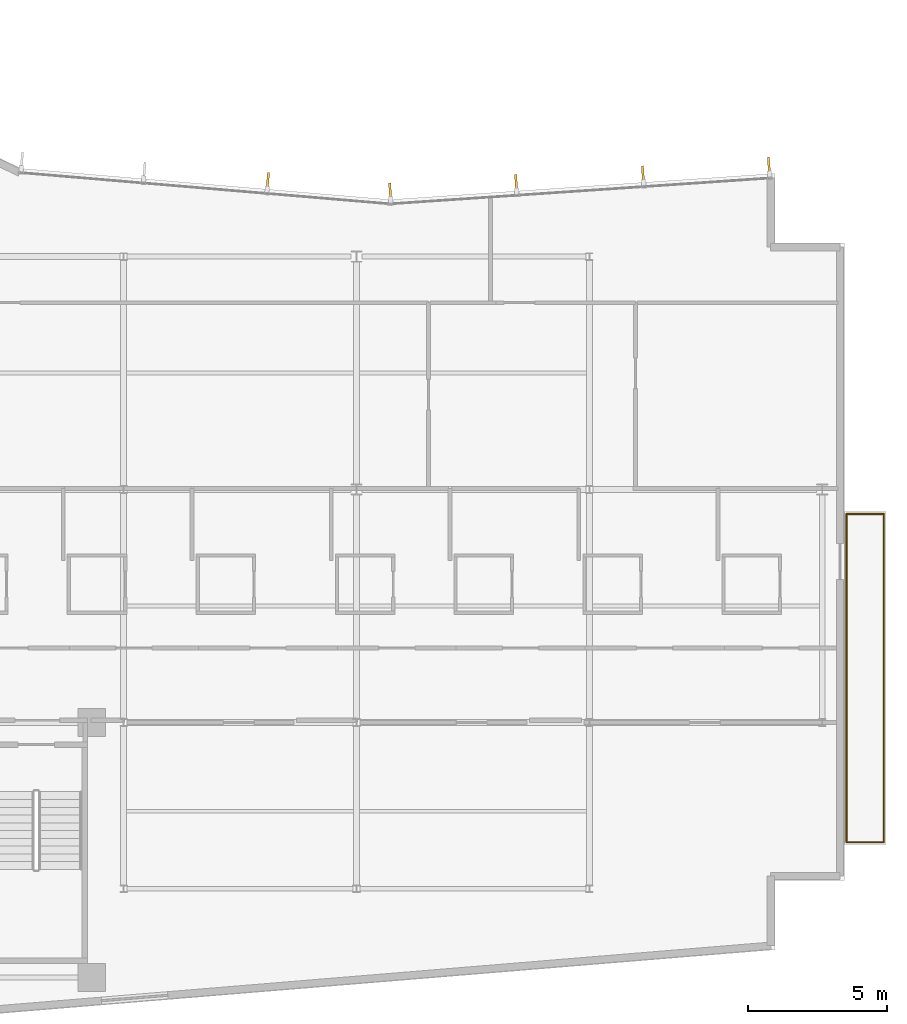
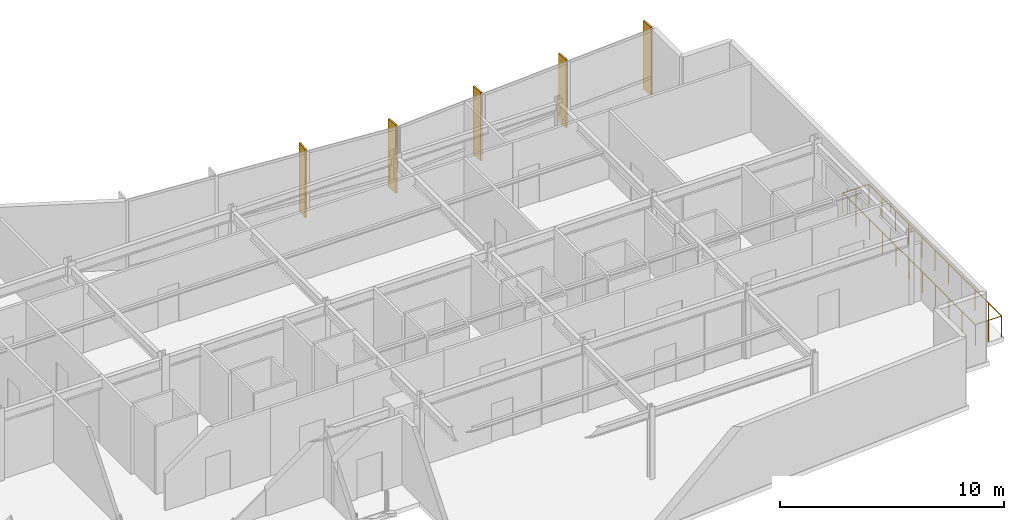
# One storey, part 14 of 15: 5 shading devices, 4 railings.
"""IFC4 building model written with IfcOpenShell, lengths in metres."""

from ifc_helpers import new_model, si_unit, direction, frame, origin, origin_2d, place, context, subcontext, project, spatial, rectangle, circle, extrude, material, layer, layer_set, type_object, element, save


model = new_model("IFC4")

# Units and contexts
model_context = context("Model", 3, precision=1e-05, world=origin(), true_north=direction((0.0, 1.0)))
body_context = subcontext(model_context, "Body", "Model", "MODEL_VIEW")
ifc_project = project(units=[si_unit("LENGTHUNIT", "METRE"), si_unit("AREAUNIT", "SQUARE_METRE"), si_unit("VOLUMEUNIT", "CUBIC_METRE"), si_unit("PLANEANGLEUNIT", "RADIAN"), si_unit("MASSUNIT", "GRAM", prefix="KILO")], contexts=[model_context])

# Site, building, storey
site_placement = place(None, origin())
site = spatial("IfcSite", under=ifc_project, at=site_placement, CompositionType="ELEMENT")
building_placement = place(site_placement, origin())
building = spatial("IfcBuilding", under=site, at=building_placement, Name="Varnakote Quay Hospital", CompositionType="ELEMENT")
storey_placement = place(building_placement, frame((0.0, 0.0, 196.050048828125)))
storey = spatial("IfcBuildingStorey", under=building, at=storey_placement, Name="L48", CompositionType="ELEMENT", Elevation=196.050048828125)

# Railings
ifc_material_1 = material(Name="Anodised aluminium 6063-T6 Bronze", Category="aluminium")
railing_type = type_object("IfcRailingType", Name="RLG-EXT-GUARD-1150", PredefinedType="GUARDRAIL", material=ifc_material_1)
railing_1_placement = place(storey_placement, frame((51.27587890625, 19.52001953125, 0.0)))
element("IfcRailing", 1, at=railing_1_placement, inside=storey, type_object=railing_type, Name="L48 Zigzag Prow Healing Terrace Safety Guard", PredefinedType="GUARDRAIL", context=body_context, shape_type="SweptSolid", body=[
    extrude(circle(Radius=0.02392578125, at=origin_2d()), frame((0.0, 0.0, 1.1259765625), z_axis=(1.0, 0.0, 0.0), x_axis=(0.0, 1.0, 0.0)), (0.0, 0.0, 1.0), 1.34423828125),
    extrude(circle(Radius=0.02099609375, at=origin_2d()), origin(), (0.0, 0.0, 1.0), 1.101806640625),
    extrude(circle(Radius=0.02099609375, at=origin_2d()), frame((0.672119140625, 0.0, 0.0)), (0.0, 0.0, 1.0), 1.101806640625),
    extrude(circle(Radius=0.02099609375, at=origin_2d()), frame((1.34423828125, 0.0, 0.0)), (0.0, 0.0, 1.0), 1.101806640625),
])
railing_2_placement = place(storey_placement, frame((52.6201171875, 19.52001953125, 0.0)))
element("IfcRailing", 2, at=railing_2_placement, inside=storey, type_object=railing_type, Name="L48 Zigzag Prow Healing Terrace Safety Guard", PredefinedType="GUARDRAIL", context=body_context, shape_type="SweptSolid", body=[
    extrude(circle(Radius=0.02392578125, at=origin_2d()), frame((0.0, 0.0, 1.1259765625), z_axis=(0.0, -1.0, 0.0), x_axis=(1.0, 0.0, 0.0)), (0.0, 0.0, 1.0), 11.840087890625),
    extrude(circle(Radius=0.02099609375, at=origin_2d()), origin(), (0.0, 0.0, 1.0), 1.101806640625),
    extrude(circle(Radius=0.02099609375, at=origin_2d()), frame((0.0, -1.18408203125, 0.0)), (0.0, 0.0, 1.0), 1.101806640625),
    extrude(circle(Radius=0.02099609375, at=origin_2d()), frame((0.0, -2.367919921875, 0.0)), (0.0, 0.0, 1.0), 1.101806640625),
    extrude(circle(Radius=0.02099609375, at=origin_2d()), frame((0.0, -3.552001953125, 0.0)), (0.0, 0.0, 1.0), 1.101806640625),
    extrude(circle(Radius=0.02099609375, at=origin_2d()), frame((0.0, -4.736083984375, 0.0)), (0.0, 0.0, 1.0), 1.101806640625),
    extrude(circle(Radius=0.02099609375, at=origin_2d()), frame((0.0, -5.919921875, 0.0)), (0.0, 0.0, 1.0), 1.101806640625),
    extrude(circle(Radius=0.02099609375, at=origin_2d()), frame((0.0, -7.10400390625, 0.0)), (0.0, 0.0, 1.0), 1.101806640625),
    extrude(circle(Radius=0.02099609375, at=origin_2d()), frame((0.0, -8.2880859375, 0.0)), (0.0, 0.0, 1.0), 1.101806640625),
    extrude(circle(Radius=0.02099609375, at=origin_2d()), frame((0.0, -9.47216796875, 0.0)), (0.0, 0.0, 1.0), 1.101806640625),
    extrude(circle(Radius=0.02099609375, at=origin_2d()), frame((0.0, -10.656005859375, 0.0)), (0.0, 0.0, 1.0), 1.101806640625),
    extrude(circle(Radius=0.02099609375, at=origin_2d()), frame((0.0, -11.840087890625, 0.0)), (0.0, 0.0, 1.0), 1.101806640625),
])
railing_3_placement = place(storey_placement, frame((52.6201171875, 7.679931640625, 0.0)))
element("IfcRailing", 3, at=railing_3_placement, inside=storey, type_object=railing_type, Name="L48 Zigzag Prow Healing Terrace Safety Guard", PredefinedType="GUARDRAIL", context=body_context, shape_type="SweptSolid", body=[
    extrude(circle(Radius=0.02392578125, at=origin_2d()), frame((0.0, 0.0, 1.1259765625), z_axis=(-1.0, 0.0, 0.0), x_axis=(0.0, -1.0, 0.0)), (0.0, 0.0, 1.0), 1.34423828125),
    extrude(circle(Radius=0.02099609375, at=origin_2d()), origin(), (0.0, 0.0, 1.0), 1.101806640625),
    extrude(circle(Radius=0.02099609375, at=origin_2d()), frame((-0.672119140625, 0.0, 0.0)), (0.0, 0.0, 1.0), 1.101806640625),
    extrude(circle(Radius=0.02099609375, at=origin_2d()), frame((-1.34423828125, 0.0, 0.0)), (0.0, 0.0, 1.0), 1.101806640625),
])
railing_4_placement = place(storey_placement, frame((51.27587890625, 7.679931640625, 0.0)))
element("IfcRailing", 4, at=railing_4_placement, inside=storey, type_object=railing_type, Name="L48 Zigzag Prow Healing Terrace Safety Guard", PredefinedType="GUARDRAIL", context=body_context, shape_type="SweptSolid", body=[
    extrude(circle(Radius=0.02392578125, at=origin_2d()), frame((0.0, 0.0, 1.1259765625), z_axis=(0.0, 1.0, 0.0), x_axis=(-1.0, 0.0, 0.0)), (0.0, 0.0, 1.0), 11.840087890625),
    extrude(circle(Radius=0.02099609375, at=origin_2d()), origin(), (0.0, 0.0, 1.0), 1.101806640625),
    extrude(circle(Radius=0.02099609375, at=origin_2d()), frame((0.0, 1.18408203125, 0.0)), (0.0, 0.0, 1.0), 1.101806640625),
    extrude(circle(Radius=0.02099609375, at=origin_2d()), frame((0.0, 2.367919921875, 0.0)), (0.0, 0.0, 1.0), 1.101806640625),
    extrude(circle(Radius=0.02099609375, at=origin_2d()), frame((0.0, 3.552001953125, 0.0)), (0.0, 0.0, 1.0), 1.101806640625),
    extrude(circle(Radius=0.02099609375, at=origin_2d()), frame((0.0, 4.736083984375, 0.0)), (0.0, 0.0, 1.0), 1.101806640625),
    extrude(circle(Radius=0.02099609375, at=origin_2d()), frame((0.0, 5.919921875, 0.0)), (0.0, 0.0, 1.0), 1.101806640625),
    extrude(circle(Radius=0.02099609375, at=origin_2d()), frame((0.0, 7.10400390625, 0.0)), (0.0, 0.0, 1.0), 1.101806640625),
    extrude(circle(Radius=0.02099609375, at=origin_2d()), frame((0.0, 8.2880859375, 0.0)), (0.0, 0.0, 1.0), 1.101806640625),
    extrude(circle(Radius=0.02099609375, at=origin_2d()), frame((0.0, 9.47216796875, 0.0)), (0.0, 0.0, 1.0), 1.101806640625),
    extrude(circle(Radius=0.02099609375, at=origin_2d()), frame((0.0, 10.656005859375, 0.0)), (0.0, 0.0, 1.0), 1.101806640625),
    extrude(circle(Radius=0.02099609375, at=origin_2d()), frame((0.0, 11.840087890625, 0.0)), (0.0, 0.0, 1.0), 1.101806640625),
])

# Shading devices
ifc_material_2 = material(Name="Anodised aluminium 6063-T6 Bronze", Category="aluminium")
ifc_layer = layer(ifc_material_2, 0.0849609375)
ifc_layer_set = layer_set([ifc_layer], Name="Anodised aluminium 6063-T6 Bronze")
shading_device_type = type_object("IfcShadingDeviceType", Name="SHD-BRONZE-FIN-620", PredefinedType="USERDEFINED", material=ifc_layer_set)
for number, where, z_axis, x_axis, name in (
    (5, (48.47705078125, 32.07568359375, 0.0), (0.0, 0.0, 1.0), (0.067841160875, -0.997696134548, 0.0), "L48 Anodised Bronze Vertical Shading FIN"),
    (6, (43.934326171875, 31.7666015625, 0.0), (0.0, 0.0, 1.0), (0.067841160875, -0.997696134548, 0.0), "L48 Anodised Bronze Vertical Shading FIN"),
    (7, (39.359375, 31.45556640625, 0.0), (0.0, 0.0, 1.0), (0.067841160875, -0.997696134548, 0.0), "L48 Anodised Bronze Vertical Shading FIN"),
    (8, (34.816650390625, 31.146728515625, 0.0), (0.0, 0.0, 1.0), (0.067841160875, -0.997696134548, 0.0), "L48 Anodised Bronze Vertical Shading FIN"),
    (9, (30.4013671875, 31.519775390625, 0.0), (0.0, 0.0, 1.0), (-0.084199594279, -0.996448909038, 0.0), "L48 Anodised Bronze Vertical Shading FIN"),
):
    element("IfcShadingDevice", number, at=place(storey_placement, frame(where, z_axis=z_axis, x_axis=x_axis)), inside=storey, type_object=shading_device_type, Name=name, ObjectType="FIN", PredefinedType="USERDEFINED", context=body_context, shape_type="SweptSolid", body=[
        extrude(rectangle(XDim=0.6201171875, YDim=0.0849609375, at=origin_2d()), origin(), (0.0, 0.0, 1.0), 3.7099609375),
    ])

save(model, "model.ifc")
